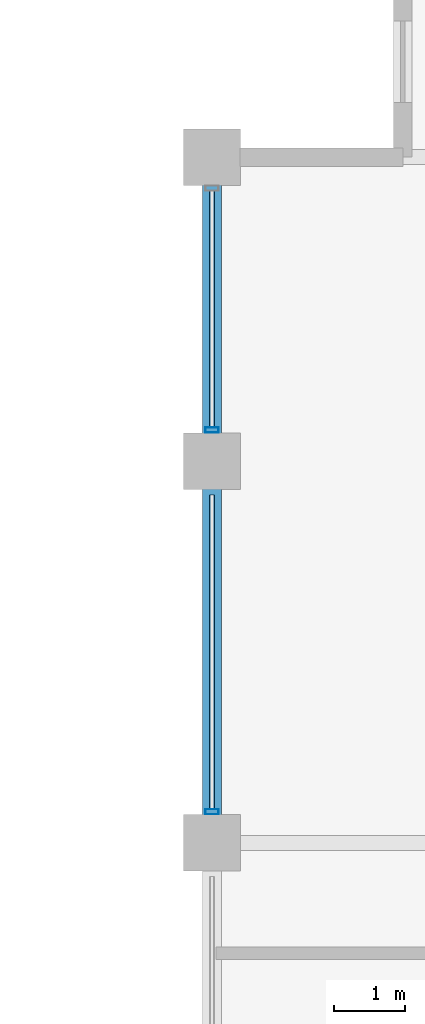
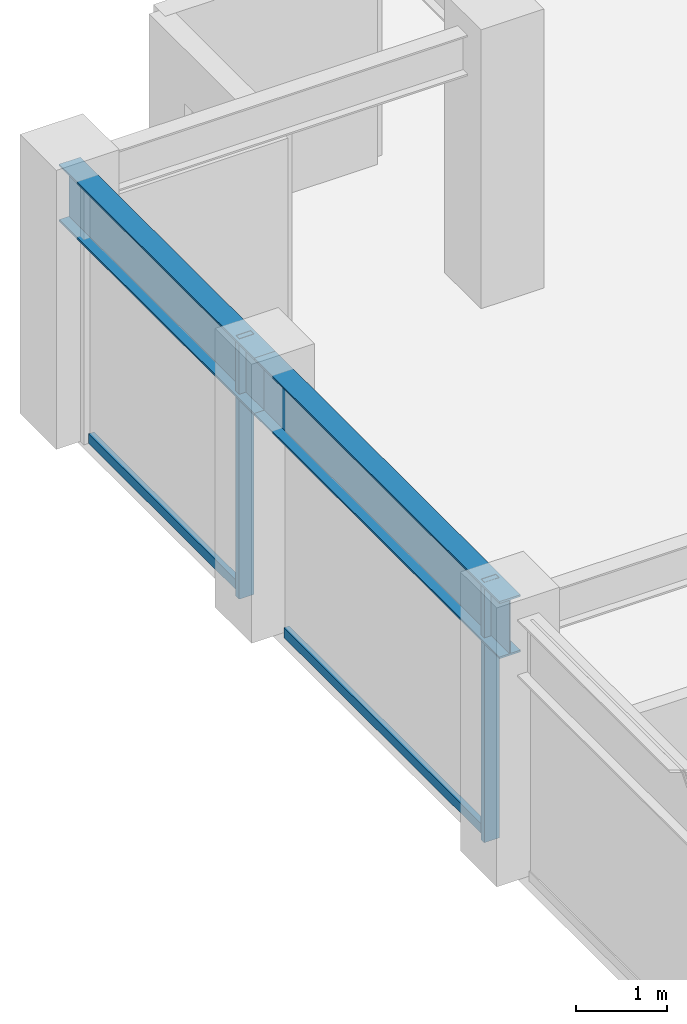
# One storey, part 13 of 28: 4 members, 2 beams, 1 element without a shape of its own.
"""IFC4 building model written with IfcOpenShell, lengths in metres."""

from ifc_helpers import new_model, si_unit, direction, frame, origin, origin_2d, place, context, subcontext, project, spatial, hollow_rectangle, i_section, extrude, material, layer, layer_set, material_profile, profile_set, type_object, element, aggregate, save


model = new_model("IFC4")

# Units and contexts
model_context = context("Model", 3, precision=1e-05, world=origin(), true_north=direction((0.0, 1.0)))
body_context = subcontext(model_context, "Body", "Model", "MODEL_VIEW")
ifc_project = project(units=[si_unit("LENGTHUNIT", "METRE"), si_unit("AREAUNIT", "SQUARE_METRE"), si_unit("VOLUMEUNIT", "CUBIC_METRE"), si_unit("PLANEANGLEUNIT", "RADIAN"), si_unit("MASSUNIT", "GRAM", prefix="KILO")], contexts=[model_context])

# Site, building, storey
site_placement = place(None, origin())
site = spatial("IfcSite", under=ifc_project, at=site_placement, CompositionType="ELEMENT")
building_placement = place(site_placement, origin())
building = spatial("IfcBuilding", under=site, at=building_placement, Name="Surkhivell Harbour Commons", CompositionType="ELEMENT")
storey_placement = place(building_placement, frame((0.0, 0.0, 246.0)))
storey = spatial("IfcBuildingStorey", under=building, at=storey_placement, Name="L64", CompositionType="ELEMENT", Elevation=246.0)

# Beams
ifc_material_1 = material(Name="Steel S355", Category="steel")
ifc_material_profile_1 = material_profile(ifc_material_1, i_section(OverallWidth=0.26806640625, OverallDepth=0.77001953125, WebThickness=0.015625, FlangeThickness=0.025390625, at=origin_2d()), Name="UB762x267x197")
ifc_profile_set_1 = profile_set([ifc_material_profile_1], Name="Steel S355")
beam_type = type_object("IfcBeamType", Name="BM-SPN-762", PredefinedType="SPANDREL", material=ifc_profile_set_1)
beam_1_placement = place(storey_placement, frame((-27.0, 10.800048828125, 3.114990234375), z_axis=(0.0, 1.0, 0.0), x_axis=(-1.0, 0.0, 0.0)))
element("IfcBeam", 1, at=beam_1_placement, inside=storey, type_object=beam_type, Name="L64 Tube Spandrel (-27.0,10.8)", PredefinedType="SPANDREL", context=body_context, shape_type="SweptSolid", body=[
    extrude(i_section(OverallWidth=0.26806640625, OverallDepth=0.77001953125, WebThickness=0.015625, FlangeThickness=0.025390625, at=origin_2d()), origin(), (0.0, 0.0, 1.0), 5.39990234375),
])
beam_2_placement = place(storey_placement, frame((-27.0, 16.199951171875, 3.114990234375), z_axis=(0.0, 1.0, 0.0), x_axis=(-1.0, 0.0, 0.0)))
element("IfcBeam", 2, at=beam_2_placement, inside=storey, type_object=beam_type, Name="L64 Tube Spandrel (-27.0,16.2)", PredefinedType="SPANDREL", context=body_context, shape_type="SweptSolid", body=[
    extrude(i_section(OverallWidth=0.26806640625, OverallDepth=0.77001953125, WebThickness=0.015625, FlangeThickness=0.025390625, at=origin_2d()), origin(), (0.0, 0.0, 1.0), 4.300048828125),
])

# Curtain wall, members
ifc_material_2 = material(Name="Anodised pale-metal aluminium and insulated glazing", Category="aluminium")
ifc_layer = layer(ifc_material_2, 0.18994140625)
ifc_layer_set = layer_set([ifc_layer], Name="Anodised pale-metal aluminium and insulated glazing")
curtain_wall_type = type_object("IfcCurtainWallType", Name="CW-SYS-Z3", PredefinedType="NOTDEFINED", material=ifc_layer_set)
curtain_wall_placement = place(storey_placement, origin())
curtain_wall = element("IfcCurtainWall", 3, at=curtain_wall_placement, inside=storey, type_object=curtain_wall_type, Name="L64 Curtain Wall CW-L64-E12R2", PredefinedType="NOTDEFINED")
ifc_material_3 = material(Name="Anodised pale-metal aluminium alloy 6063-T6", Category="aluminium")
ifc_material_profile_2 = material_profile(ifc_material_3, hollow_rectangle(XDim=0.074951171875, YDim=0.18994140625, WallThickness=0.00390625, at=origin_2d()), Name="ALU-MULL-75x190")
ifc_profile_set_2 = profile_set([ifc_material_profile_2], Name="Anodised pale-metal aluminium alloy 6063-T6")
member_type_1 = type_object("IfcMemberType", Name="CWM-190", PredefinedType="MULLION", material=ifc_profile_set_2)
member_1_placement = place(storey_placement, frame((-27.0, 11.239501953125, 0.0), z_axis=(0.0, 0.0, 1.0), x_axis=(0.0, 1.0, 0.0)))
member_1 = element("IfcMember", 4, at=member_1_placement, type_object=member_type_1, Name="CW-Z3 mullion 2", PredefinedType="MULLION", context=body_context, shape_type="SweptSolid", body=[
    extrude(hollow_rectangle(XDim=0.074951171875, YDim=0.18994140625, WallThickness=0.00390625, at=origin_2d()), origin(), (0.0, 0.0, 1.0), 3.5),
])
member_2_placement = place(storey_placement, frame((-27.0, 16.639404296875, 0.0), z_axis=(0.0, 0.0, 1.0), x_axis=(0.0, 1.0, 0.0)))
member_2 = element("IfcMember", 5, at=member_2_placement, type_object=member_type_1, Name="CW-Z3 mullion 3", PredefinedType="MULLION", context=body_context, shape_type="SweptSolid", body=[
    extrude(hollow_rectangle(XDim=0.074951171875, YDim=0.18994140625, WallThickness=0.00390625, at=origin_2d()), origin(), (0.0, 0.0, 1.0), 3.5),
])
ifc_material_4 = material(Name="Champagne anodised aluminium alloy 6063-T6", Category="aluminium")
ifc_material_profile_3 = material_profile(ifc_material_4, hollow_rectangle(XDim=0.070068359375, YDim=0.1298828125, WallThickness=0.00341796875, at=origin_2d()), Name="ALU-TRAN-70x130")
ifc_profile_set_3 = profile_set([ifc_material_profile_3], Name="Champagne anodised aluminium alloy 6063-T6")
member_type_2 = type_object("IfcMemberType", Name="CWT-130", PredefinedType="USERDEFINED", material=ifc_profile_set_3)
member_3_placement = place(storey_placement, frame((-27.0, 11.277099609375, 0.06494140625), z_axis=(0.0, 1.0, 0.0), x_axis=(-1.0, 0.0, 0.0)))
member_3 = element("IfcMember", 6, at=member_3_placement, type_object=member_type_2, Name="CW-Z3 transom 2.1", ObjectType="TRANSOM", PredefinedType="USERDEFINED", context=body_context, shape_type="SweptSolid", body=[
    extrude(hollow_rectangle(XDim=0.070068359375, YDim=0.1298828125, WallThickness=0.00341796875, at=origin_2d()), origin(), (0.0, 0.0, 1.0), 4.44580078125),
])
member_4_placement = place(storey_placement, frame((-27.0, 16.677001953125, 0.06494140625), z_axis=(0.0, 1.0, 0.0), x_axis=(-1.0, 0.0, 0.0)))
member_4 = element("IfcMember", 7, at=member_4_placement, type_object=member_type_2, Name="CW-Z3 transom 3.1", ObjectType="TRANSOM", PredefinedType="USERDEFINED", context=body_context, shape_type="SweptSolid", body=[
    extrude(hollow_rectangle(XDim=0.070068359375, YDim=0.1298828125, WallThickness=0.00341796875, at=origin_2d()), origin(), (0.0, 0.0, 1.0), 3.345947265625),
])
aggregate(curtain_wall, [member_1, member_3, member_2, member_4])

save(model, "model.ifc")
